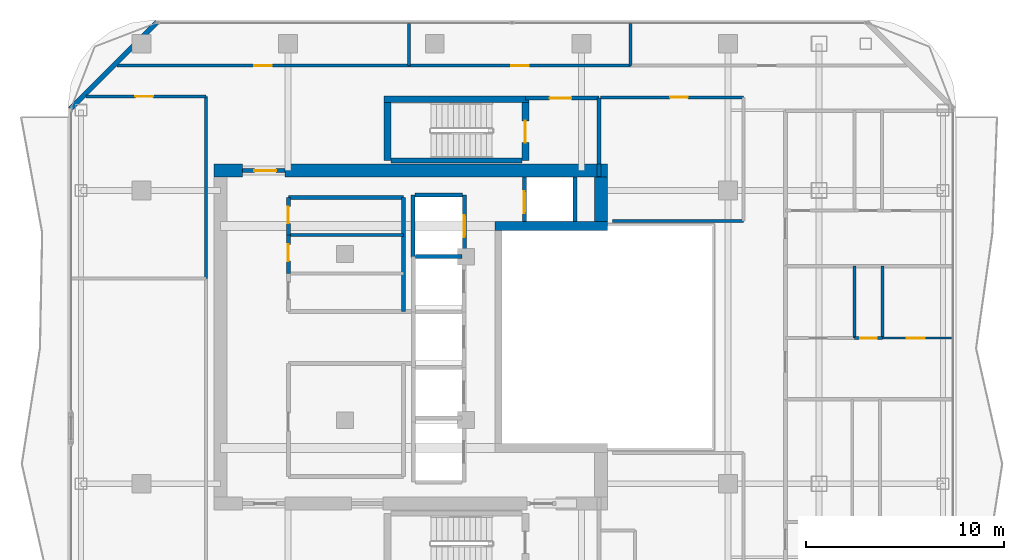
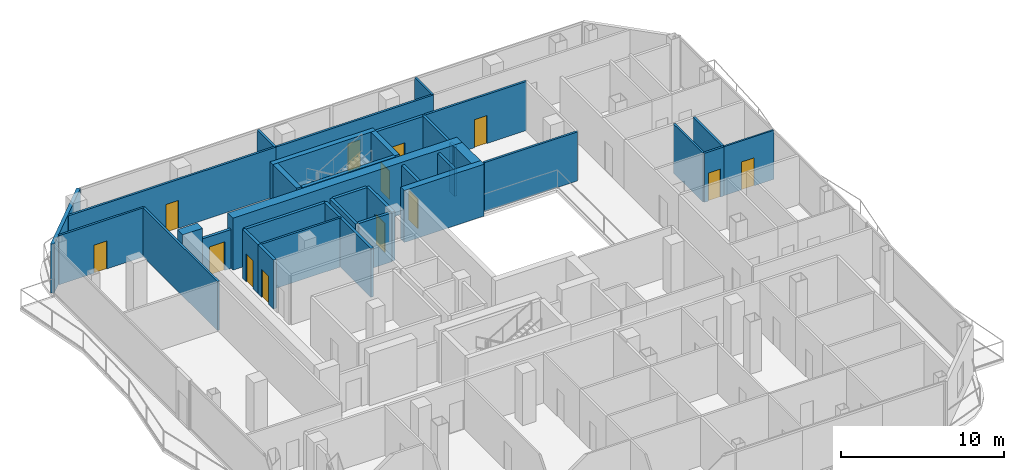
# One storey, part 23 of 27: 36 walls, 13 doors, 13 openings.
"""IFC4 building model written with IfcOpenShell, lengths in metres."""

from ifc_helpers import new_model, si_unit, direction, frame, frame_2d, origin, place, context, subcontext, project, spatial, rectangle, extrude, material, layer, layer_set, type_object, element, fill, save


model = new_model("IFC4")

# Units and contexts
model_context = context("Model", 3, precision=1e-05, world=origin(), true_north=direction((0.0, 1.0)))
body_context = subcontext(model_context, "Body", "Model", "MODEL_VIEW")
ifc_project = project(units=[si_unit("LENGTHUNIT", "METRE"), si_unit("AREAUNIT", "SQUARE_METRE"), si_unit("VOLUMEUNIT", "CUBIC_METRE"), si_unit("PLANEANGLEUNIT", "RADIAN"), si_unit("MASSUNIT", "GRAM", prefix="KILO")], contexts=[model_context])

# Site, building, storey
site_placement = place(None, origin())
site = spatial("IfcSite", under=ifc_project, at=site_placement, CompositionType="ELEMENT")
building_placement = place(site_placement, origin())
building = spatial("IfcBuilding", under=site, at=building_placement, Name="Khorvyn Point Tower", CompositionType="ELEMENT")
storey_placement = place(building_placement, frame((0.0, 0.0, 246.89990234375)))
storey = spatial("IfcBuildingStorey", under=building, at=storey_placement, Name="L60", CompositionType="ELEMENT", Elevation=246.89990234375)

# Walls
ifc_material_1 = material(Name="Pale anodised aluminium rainscreen on steel stud", Category="steel")
ifc_layer_1 = layer(ifc_material_1, 0.239990234375)
ifc_layer_set_1 = layer_set([ifc_layer_1], Name="Anodised Aluminium Insulated Corner Spandrel Wall 240")
wall_type_1 = type_object("IfcWallType", Name="Anodised Aluminium Insulated Corner Spandrel Wall 240", PredefinedType="SOLIDWALL", material=ifc_layer_set_1)
wall_1_placement = place(storey_placement, frame((-18.392333984375, 11.507568359375, 0.0), z_axis=(0.0, 0.0, 1.0), x_axis=(0.707106781187, 0.707106781187, 0.0)))
element("IfcWall", 1, at=wall_1_placement, inside=storey, type_object=wall_type_1, Name="L60 Rounded Corner Wall NW", PredefinedType="SOLIDWALL", context=body_context, shape_type="SweptSolid", body=[
    extrude(rectangle(XDim=6.200927734375, YDim=0.239990234375, at=frame_2d((3.1005859375, 0.0))), origin(), (0.0, 0.0, 1.0), 3.68017578125),
])
ifc_material_2 = material(Name="Concrete C40/50", Category="concrete")
ifc_layer_2 = layer(ifc_material_2, 0.449951171875)
ifc_layer_set_2 = layer_set([ifc_layer_2], Name="Concrete C40/50 Core Shear Wall 450")
wall_type_2 = type_object("IfcWallType", Name="Concrete C40/50 Core Shear Wall 450", PredefinedType="SHEAR", material=ifc_layer_set_2)
wall_2_placement = place(storey_placement, frame((3.044921875, 5.60009765625, 0.0), z_axis=(0.0, 0.0, 1.0), x_axis=(1.0, 0.0, 0.0)))
element("IfcWall", 2, at=wall_2_placement, inside=storey, type_object=wall_type_2, Name="Wall", PredefinedType="SHEAR", context=body_context, shape_type="SweptSolid", body=[
    extrude(rectangle(XDim=5.68017578125, YDim=0.449951171875, at=frame_2d((2.840087890625, 0.0))), origin(), (0.0, 0.0, 1.0), 3.900146484375),
])
ifc_layer_3 = layer(ifc_material_2, 0.64990234375)
ifc_layer_set_3 = layer_set([ifc_layer_3], Name="Concrete C40/50 Core Shear Wall 650")
wall_type_3 = type_object("IfcWallType", Name="Concrete C40/50 Core Shear Wall 650", PredefinedType="SHEAR", material=ifc_layer_set_3)
wall_3_placement = place(storey_placement, frame((-11.125, 8.39990234375, 0.0), z_axis=(0.0, 0.0, 1.0), x_axis=(1.0, 0.0, 0.0)))
element("IfcWall", 3, at=wall_3_placement, inside=storey, type_object=wall_type_3, Name="Wall", PredefinedType="SHEAR", context=body_context, shape_type="SweptSolid", body=[
    extrude(rectangle(XDim=1.425048828125, YDim=0.64990234375, at=frame_2d((0.71240234375, 0.0))), origin(), (0.0, 0.0, 1.0), 3.900146484375),
])
wall_4_placement = place(storey_placement, frame((-7.550048828125, 8.39990234375, 0.0), z_axis=(0.0, 0.0, 1.0), x_axis=(1.0, 0.0, 0.0)))
element("IfcWall", 4, at=wall_4_placement, inside=storey, type_object=wall_type_3, Name="Wall", PredefinedType="SHEAR", context=body_context, shape_type="SweptSolid", body=[
    extrude(rectangle(XDim=16.275146484375, YDim=0.64990234375, at=frame_2d((8.1376953125, 0.0))), origin(), (0.0, 0.0, 1.0), 3.900146484375),
])
wall_5_placement = place(storey_placement, frame((8.39990234375, 5.824951171875, 0.0), z_axis=(0.0, 0.0, 1.0), x_axis=(0.0, 1.0, 0.0)))
element("IfcWall", 5, at=wall_5_placement, inside=storey, type_object=wall_type_3, Name="Wall", PredefinedType="SHEAR", context=body_context, shape_type="SweptSolid", body=[
    extrude(rectangle(XDim=2.25, YDim=0.64990234375, at=frame_2d((1.125, 0.0))), origin(), (0.0, 0.0, 1.0), 3.900146484375),
])

# Wall, opening, door
ifc_layer_4 = layer(ifc_material_2, 0.199951171875)
ifc_layer_set_4 = layer_set([ifc_layer_4], Name="Concrete C40/50 Fire-Lobby Compartment Wall 200")
wall_type_4 = type_object("IfcWallType", Name="Concrete C40/50 Fire-Lobby Compartment Wall 200", PredefinedType="SOLIDWALL", material=ifc_layer_set_4)
wall_6_placement = place(storey_placement, frame((4.580078125, 12.06005859375, 0.0), z_axis=(0.0, 0.0, 1.0), x_axis=(1.0, 0.0, 0.0)))
wall_6 = element("IfcWall", 6, at=wall_6_placement, inside=storey, type_object=wall_type_4, Name="Wall", PredefinedType="SOLIDWALL", context=body_context, shape_type="SweptSolid", body=[
    extrude(rectangle(XDim=3.699951171875, YDim=0.199951171875, at=frame_2d((1.85009765625, 0.0))), origin(), (0.0, 0.0, 1.0), 3.68017578125),
])
opening_1_placement = place(wall_6_placement, frame((1.21240234375, 0.0, 0.0)))
opening_1 = element("IfcOpeningElement", 7, at=opening_1_placement, cuts=wall_6, Name="Opening ID-FL90", PredefinedType="OPENING", context=body_context, shape_type="SweptSolid", body=[
    extrude(rectangle(XDim=1.10009765625, YDim=2.14990234375, at=frame_2d((0.550048828125, 1.074951171875))), frame((0.0, 0.10986328125, 0.0), z_axis=(0.0, -1.0, 0.0), x_axis=(1.0, 0.0, 0.0)), (0.0, 0.0, 1.0), 0.219970703125),
])
ifc_material_3 = material(Name="Galvanised powder-coated steel", Category="steel")
door_type_1 = type_object("IfcDoorType", Name="Fire-Rated Steel Lobby and Stair Door 1100x2150", OperationType="NOTDEFINED", PredefinedType="DOOR", material=ifc_material_3)
door_1_placement = place(opening_1_placement, origin())
door_1 = element("IfcDoor", 8, at=door_1_placement, inside=storey, type_object=door_type_1, Name="Door", OperationType="SINGLE_SWING_LEFT", OverallHeight=2.14990234375, OverallWidth=1.10009765625, PredefinedType="DOOR", context=body_context, shape_type="SweptSolid", body=[
    extrude(rectangle(XDim=1.10009765625, YDim=2.14990234375, at=frame_2d((0.550048828125, 1.074951171875))), frame((0.0, 0.02490234375, 0.0), z_axis=(0.0, -1.0, 0.0), x_axis=(1.0, 0.0, 0.0)), (0.0, 0.0, 1.0), 0.050048828125),
])
fill(opening_1, door_1)

wall_7_placement = place(storey_placement, frame((-9.699951171875, 8.39990234375, 0.0), z_axis=(0.0, 0.0, 1.0), x_axis=(1.0, 0.0, 0.0)))
wall_7 = element("IfcWall", 9, at=wall_7_placement, inside=storey, type_object=wall_type_4, Name="Wall", PredefinedType="SOLIDWALL", context=body_context, shape_type="SweptSolid", body=[
    extrude(rectangle(XDim=2.14990234375, YDim=0.199951171875, at=frame_2d((1.074951171875, 0.0))), origin(), (0.0, 0.0, 1.0), 2.920166015625),
])
opening_2_placement = place(wall_7_placement, frame((0.597900390625, 0.0, 0.0)))
opening_2 = element("IfcOpeningElement", 10, at=opening_2_placement, cuts=wall_7, Name="Opening ID-FL90", PredefinedType="OPENING", context=body_context, shape_type="SweptSolid", body=[
    extrude(rectangle(XDim=1.10009765625, YDim=2.14990234375, at=frame_2d((0.550048828125, 1.074951171875))), frame((0.0, 0.10986328125, 0.0), z_axis=(0.0, -1.0, 0.0), x_axis=(1.0, 0.0, 0.0)), (0.0, 0.0, 1.0), 0.219970703125),
])
door_2_placement = place(opening_2_placement, origin())
door_2 = element("IfcDoor", 11, at=door_2_placement, inside=storey, type_object=door_type_1, Name="Door", OperationType="SINGLE_SWING_LEFT", OverallHeight=2.14990234375, OverallWidth=1.10009765625, PredefinedType="DOOR", context=body_context, shape_type="SweptSolid", body=[
    extrude(rectangle(XDim=1.10009765625, YDim=2.14990234375, at=frame_2d((0.550048828125, 1.074951171875))), frame((0.0, 0.02490234375, 0.0), z_axis=(0.0, -1.0, 0.0), x_axis=(1.0, 0.0, 0.0)), (0.0, 0.0, 1.0), 0.050048828125),
])
fill(opening_2, door_2)

wall_8_placement = place(storey_placement, frame((-7.3798828125, 3.219970703125, 0.0), z_axis=(0.0, 0.0, 1.0), x_axis=(0.0, 1.0, 0.0)))
wall_8 = element("IfcWall", 12, at=wall_8_placement, inside=storey, type_object=wall_type_4, Name="Wall", PredefinedType="SOLIDWALL", context=body_context, shape_type="SweptSolid", body=[
    extrude(rectangle(XDim=1.919921875, YDim=0.199951171875, at=frame_2d((0.9599609375, 0.0))), origin(), (0.0, 0.0, 1.0), 3.68017578125),
])
opening_3_placement = place(wall_8_placement, frame((0.610107421875, 0.0, 0.0)))
opening_3 = element("IfcOpeningElement", 13, at=opening_3_placement, cuts=wall_8, Name="Opening ID-WC85", PredefinedType="OPENING", context=body_context, shape_type="SweptSolid", body=[
    extrude(rectangle(XDim=0.85009765625, YDim=2.10009765625, at=frame_2d((0.425048828125, 1.050048828125))), frame((0.0, 0.10986328125, 0.0), z_axis=(0.0, -1.0, 0.0), x_axis=(1.0, 0.0, 0.0)), (0.0, 0.0, 1.0), 0.219970703125),
])
ifc_material_4 = material(Name="High-pressure laminate on moisture-resistant core", Category="wood")
door_type_2 = type_object("IfcDoorType", Name="Moisture-Resistant Accessible Washroom Door 850x2100", OperationType="NOTDEFINED", PredefinedType="DOOR", material=ifc_material_4)
door_3_placement = place(opening_3_placement, origin())
door_3 = element("IfcDoor", 14, at=door_3_placement, inside=storey, type_object=door_type_2, Name="Door", OperationType="SINGLE_SWING_RIGHT", OverallHeight=2.10009765625, OverallWidth=0.85009765625, PredefinedType="DOOR", context=body_context, shape_type="SweptSolid", body=[
    extrude(rectangle(XDim=0.85009765625, YDim=2.10009765625, at=frame_2d((0.425048828125, 1.050048828125))), frame((0.0, 0.02490234375, 0.0), z_axis=(0.0, -1.0, 0.0), x_axis=(1.0, 0.0, 0.0)), (0.0, 0.0, 1.0), 0.050048828125),
])
fill(opening_3, door_3)

wall_9_placement = place(storey_placement, frame((-7.3798828125, 5.139892578125, 0.0), z_axis=(0.0, 0.0, 1.0), x_axis=(0.0, 1.0, 0.0)))
wall_9 = element("IfcWall", 15, at=wall_9_placement, inside=storey, type_object=wall_type_4, Name="Wall", PredefinedType="SOLIDWALL", context=body_context, shape_type="SweptSolid", body=[
    extrude(rectangle(XDim=1.900146484375, YDim=0.199951171875, at=frame_2d((0.9501953125, 0.0))), origin(), (0.0, 0.0, 1.0), 3.68017578125),
])
opening_4_placement = place(wall_9_placement, frame((0.597900390625, 0.0, 0.0)))
opening_4 = element("IfcOpeningElement", 16, at=opening_4_placement, cuts=wall_9, Name="Opening ID-WC85", PredefinedType="OPENING", context=body_context, shape_type="SweptSolid", body=[
    extrude(rectangle(XDim=0.85009765625, YDim=2.10009765625, at=frame_2d((0.425048828125, 1.050048828125))), frame((0.0, 0.10986328125, 0.0), z_axis=(0.0, -1.0, 0.0), x_axis=(1.0, 0.0, 0.0)), (0.0, 0.0, 1.0), 0.219970703125),
])
door_4_placement = place(opening_4_placement, origin())
door_4 = element("IfcDoor", 17, at=door_4_placement, inside=storey, type_object=door_type_2, Name="Door", OperationType="SINGLE_SWING_LEFT", OverallHeight=2.10009765625, OverallWidth=0.85009765625, PredefinedType="DOOR", context=body_context, shape_type="SweptSolid", body=[
    extrude(rectangle(XDim=0.85009765625, YDim=2.10009765625, at=frame_2d((0.425048828125, 1.050048828125))), frame((0.0, 0.02490234375, 0.0), z_axis=(0.0, -1.0, 0.0), x_axis=(1.0, 0.0, 0.0)), (0.0, 0.0, 1.0), 0.050048828125),
])
fill(opening_4, door_4)

# Walls
wall_10_placement = place(storey_placement, frame((8.280029296875, 8.72509765625, 0.0), z_axis=(0.0, 0.0, 1.0), x_axis=(0.0, 1.0, 0.0)))
element("IfcWall", 18, at=wall_10_placement, inside=storey, type_object=wall_type_4, Name="Wall", PredefinedType="SOLIDWALL", context=body_context, shape_type="SweptSolid", body=[
    extrude(rectangle(XDim=3.3349609375, YDim=0.199951171875, at=frame_2d((1.66748046875, 0.0))), origin(), (0.0, 0.0, 1.0), 3.68017578125),
])
wall_11_placement = place(storey_placement, frame((-1.580078125, 1.300048828125, 0.0), z_axis=(0.0, 0.0, 1.0), x_axis=(0.0, 1.0, 0.0)))
element("IfcWall", 19, at=wall_11_placement, inside=storey, type_object=wall_type_4, Name="Wall", PredefinedType="SOLIDWALL", context=body_context, shape_type="SweptSolid", body=[
    extrude(rectangle(XDim=5.739990234375, YDim=0.199951171875, at=frame_2d((2.8701171875, 0.0))), origin(), (0.0, 0.0, 1.0), 3.68017578125),
])
wall_12_placement = place(storey_placement, frame((-7.3798828125, 7.0400390625, 0.0), z_axis=(0.0, 0.0, 1.0), x_axis=(1.0, 0.0, 0.0)))
element("IfcWall", 20, at=wall_12_placement, inside=storey, type_object=wall_type_4, Name="Wall", PredefinedType="SOLIDWALL", context=body_context, shape_type="SweptSolid", body=[
    extrude(rectangle(XDim=5.7998046875, YDim=0.199951171875, at=frame_2d((2.89990234375, 0.0))), origin(), (0.0, 0.0, 1.0), 3.68017578125),
])
wall_13_placement = place(storey_placement, frame((8.280029296875, 8.10009765625, 0.0), z_axis=(0.0, 0.0, 1.0), x_axis=(0.0, 1.0, 0.0)))
element("IfcWall", 21, at=wall_13_placement, inside=storey, type_object=wall_type_4, Name="Wall", PredefinedType="SOLIDWALL", context=body_context, shape_type="SweptSolid", body=[
    extrude(rectangle(XDim=0.625, YDim=0.199951171875, at=frame_2d((0.3125, 0.0))), origin(), (0.0, 0.0, 1.0), 3.68017578125),
])
ifc_layer_5 = layer(ifc_material_2, 0.25)
ifc_layer_set_5 = layer_set([ifc_layer_5], Name="Concrete C40/50 Stair Inner Cheek Structural Wall 250")
wall_type_5 = type_object("IfcWallType", Name="Concrete C40/50 Stair Inner Cheek Structural Wall 250", PredefinedType="SHEAR", material=ifc_layer_set_5)
wall_14_placement = place(storey_placement, frame((-2.199951171875, 8.89990234375, 0.0), z_axis=(0.0, 0.0, 1.0), x_axis=(1.0, 0.0, 0.0)))
element("IfcWall", 22, at=wall_14_placement, inside=storey, type_object=wall_type_5, Name="Wall", PredefinedType="SHEAR", context=body_context, shape_type="SweptSolid", body=[
    extrude(rectangle(XDim=6.599853515625, YDim=0.25, at=frame_2d((3.2998046875, 0.0))), origin(), (0.0, 0.0, 1.0), 3.900146484375),
])
ifc_layer_6 = layer(ifc_material_2, 0.35009765625)
ifc_layer_set_6 = layer_set([ifc_layer_6], Name="Concrete C40/50 Stair Shaft Structural Wall 350")
wall_type_6 = type_object("IfcWallType", Name="Concrete C40/50 Stair Shaft Structural Wall 350", PredefinedType="SHEAR", material=ifc_layer_set_6)
wall_15_placement = place(storey_placement, frame((-2.554931640625, 12.0, 0.0), z_axis=(0.0, 0.0, 1.0), x_axis=(1.0, 0.0, 0.0)))
element("IfcWall", 23, at=wall_15_placement, inside=storey, type_object=wall_type_6, Name="L60 ST-02 North Shaft Wall", PredefinedType="SHEAR", context=body_context, shape_type="SweptSolid", body=[
    extrude(rectangle(XDim=7.309814453125, YDim=0.35009765625, at=frame_2d((3.65478515625, 0.0))), origin(), (0.0, 0.0, 1.0), 3.900146484375),
])
wall_16_placement = place(storey_placement, frame((-2.3798828125, 8.89990234375, 0.0), z_axis=(0.0, 0.0, 1.0), x_axis=(0.0, 1.0, 0.0)))
element("IfcWall", 24, at=wall_16_placement, inside=storey, type_object=wall_type_6, Name="L60 ST-02 West Shaft Wall", PredefinedType="SHEAR", context=body_context, shape_type="SweptSolid", body=[
    extrude(rectangle(XDim=2.925048828125, YDim=0.35009765625, at=frame_2d((1.46240234375, 0.0))), origin(), (0.0, 0.0, 1.0), 3.900146484375),
])

# Wall, opening, door
wall_17_placement = place(storey_placement, frame((4.580078125, 11.824951171875, 0.0), z_axis=(0.0, 0.0, 1.0), x_axis=(0.0, -1.0, 0.0)))
wall_17 = element("IfcWall", 25, at=wall_17_placement, inside=storey, type_object=wall_type_6, Name="L60 ST-02 East Landing Door Wall", PredefinedType="SHEAR", context=body_context, shape_type="SweptSolid", body=[
    extrude(rectangle(XDim=2.925048828125, YDim=0.35009765625, at=frame_2d((1.46240234375, 0.0))), origin(), (0.0, 0.0, 1.0), 3.900146484375),
])
opening_5_placement = place(wall_17_placement, frame((0.91259765625, 0.0, 0.0)))
opening_5 = element("IfcOpeningElement", 26, at=opening_5_placement, cuts=wall_17, Name="Opening ID-FL90", PredefinedType="OPENING", context=body_context, shape_type="SweptSolid", body=[
    extrude(rectangle(XDim=1.10009765625, YDim=2.14990234375, at=frame_2d((0.550048828125, 1.074951171875))), frame((0.0, 0.18505859375, 0.0), z_axis=(0.0, -1.0, 0.0), x_axis=(1.0, 0.0, 0.0)), (0.0, 0.0, 1.0), 0.3701171875),
])
door_5_placement = place(opening_5_placement, origin())
door_5 = element("IfcDoor", 27, at=door_5_placement, inside=storey, type_object=door_type_1, Name="L60 ST-02 Smokeproof Landing Door", OperationType="SINGLE_SWING_LEFT", OverallHeight=2.14990234375, OverallWidth=1.10009765625, PredefinedType="DOOR", context=body_context, shape_type="SweptSolid", body=[
    extrude(rectangle(XDim=1.10009765625, YDim=2.14990234375, at=frame_2d((0.550048828125, 1.074951171875))), frame((0.0, 0.02490234375, 0.0), z_axis=(0.0, -1.0, 0.0), x_axis=(1.0, 0.0, 0.0)), (0.0, 0.0, 1.0), 0.050048828125),
])
fill(opening_5, door_5)

# Walls
ifc_layer_7 = layer(ifc_material_2, 0.199951171875)
ifc_layer_set_7 = layer_set([ifc_layer_7], Name="Concrete C40/50 Structural Hoistway and Stair Shaft Wall 200")
wall_type_7 = type_object("IfcWallType", Name="Concrete C40/50 Structural Hoistway and Stair Shaft Wall 200", PredefinedType="SHEAR", material=ifc_layer_set_7)
wall_18_placement = place(storey_placement, frame((-0.97509765625, 4.074951171875, 0.0), z_axis=(0.0, 0.0, 1.0), x_axis=(1.0, 0.0, 0.0)))
element("IfcWall", 28, at=wall_18_placement, inside=storey, type_object=wall_type_7, Name="Wall", PredefinedType="SHEAR", context=body_context, shape_type="SweptSolid", body=[
    extrude(rectangle(XDim=2.35009765625, YDim=0.199951171875, at=frame_2d((1.175048828125, 0.0))), origin(), (0.0, 0.0, 1.0), 3.68017578125),
])
wall_19_placement = place(storey_placement, frame((-1.10009765625, 4.02490234375, 0.0), z_axis=(0.0, 0.0, 1.0), x_axis=(0.0, 1.0, 0.0)))
element("IfcWall", 29, at=wall_19_placement, inside=storey, type_object=wall_type_7, Name="Wall", PredefinedType="SHEAR", context=body_context, shape_type="SweptSolid", body=[
    extrude(rectangle(XDim=3.150146484375, YDim=0.199951171875, at=frame_2d((1.5751953125, 0.0))), origin(), (0.0, 0.0, 1.0), 3.68017578125),
])

# Wall, opening, door
wall_20_placement = place(storey_placement, frame((1.5, 4.02490234375, 0.0), z_axis=(0.0, 0.0, 1.0), x_axis=(0.0, 1.0, 0.0)))
wall_20 = element("IfcWall", 30, at=wall_20_placement, inside=storey, type_object=wall_type_7, Name="Wall", PredefinedType="SHEAR", context=body_context, shape_type="SweptSolid", body=[
    extrude(rectangle(XDim=3.150146484375, YDim=0.199951171875, at=frame_2d((1.5751953125, 0.0))), origin(), (0.0, 0.0, 1.0), 3.68017578125),
])
opening_6_placement = place(wall_20_placement, frame((1.02490234375, 0.0, 0.0)))
opening_6 = element("IfcOpeningElement", 31, at=opening_6_placement, cuts=wall_20, Name="Opening LD-1122", PredefinedType="OPENING", context=body_context, shape_type="SweptSolid", body=[
    extrude(rectangle(XDim=1.10009765625, YDim=2.199951171875, at=frame_2d((0.550048828125, 1.10009765625))), frame((0.0, 0.10986328125, 0.0), z_axis=(0.0, -1.0, 0.0), x_axis=(1.0, 0.0, 0.0)), (0.0, 0.0, 1.0), 0.219970703125),
])
ifc_material_5 = material(Name="Stainless steel 1.4301", Category="steel")
door_type_3 = type_object("IfcDoorType", Name="Stainless Steel Automatic Sliding Lift Landing Door 1100x2200", OperationType="SLIDING_TO_LEFT", PredefinedType="DOOR", material=ifc_material_5)
door_6_placement = place(opening_6_placement, origin())
door_6 = element("IfcDoor", 32, at=door_6_placement, inside=storey, type_object=door_type_3, Name="L60 SV-01 Sliding Lift Landing Door", OperationType="SLIDING_TO_LEFT", OverallHeight=2.199951171875, OverallWidth=1.10009765625, PredefinedType="DOOR", context=body_context, shape_type="SweptSolid", body=[
    extrude(rectangle(XDim=1.10009765625, YDim=2.199951171875, at=frame_2d((0.550048828125, 1.10009765625))), frame((0.0, 0.02490234375, 0.0), z_axis=(0.0, -1.0, 0.0), x_axis=(1.0, 0.0, 0.0)), (0.0, 0.0, 1.0), 0.050048828125),
])
fill(opening_6, door_6)

# Wall
wall_21_placement = place(storey_placement, frame((-1.0, 7.175048828125, 0.0), z_axis=(0.0, 0.0, 1.0), x_axis=(1.0, 0.0, 0.0)))
element("IfcWall", 33, at=wall_21_placement, inside=storey, type_object=wall_type_7, Name="Wall", PredefinedType="SHEAR", context=body_context, shape_type="SweptSolid", body=[
    extrude(rectangle(XDim=2.39990234375, YDim=0.199951171875, at=frame_2d((1.199951171875, 0.0))), origin(), (0.0, 0.0, 1.0), 3.68017578125),
])

# Wall, opening, door
wall_22_placement = place(storey_placement, frame((4.52490234375, 5.824951171875, 0.0), z_axis=(0.0, 0.0, 1.0), x_axis=(0.0, 1.0, 0.0)))
wall_22 = element("IfcWall", 34, at=wall_22_placement, inside=storey, type_object=wall_type_7, Name="Wall", PredefinedType="SHEAR", context=body_context, shape_type="SweptSolid", body=[
    extrude(rectangle(XDim=2.25, YDim=0.199951171875, at=frame_2d((1.125, 0.0))), origin(), (0.0, 0.0, 1.0), 3.68017578125),
])
opening_7_placement = place(wall_22_placement, frame((0.425048828125, 0.0, 0.0)))
opening_7 = element("IfcOpeningElement", 35, at=opening_7_placement, cuts=wall_22, Name="Opening LD-1122", PredefinedType="OPENING", context=body_context, shape_type="SweptSolid", body=[
    extrude(rectangle(XDim=1.10009765625, YDim=2.199951171875, at=frame_2d((0.550048828125, 1.10009765625))), frame((0.0, 0.10986328125, 0.0), z_axis=(0.0, -1.0, 0.0), x_axis=(1.0, 0.0, 0.0)), (0.0, 0.0, 1.0), 0.219970703125),
])
door_7_placement = place(opening_7_placement, origin())
door_7 = element("IfcDoor", 36, at=door_7_placement, inside=storey, type_object=door_type_3, Name="L60 FF-02 Sliding Lift Landing Door", OperationType="SLIDING_TO_LEFT", OverallHeight=2.199951171875, OverallWidth=1.10009765625, PredefinedType="DOOR", context=body_context, shape_type="SweptSolid", body=[
    extrude(rectangle(XDim=1.10009765625, YDim=2.199951171875, at=frame_2d((0.550048828125, 1.10009765625))), frame((0.0, 0.02490234375, 0.0), z_axis=(0.0, -1.0, 0.0), x_axis=(1.0, 0.0, 0.0)), (0.0, 0.0, 1.0), 0.050048828125),
])
fill(opening_7, door_7)

# Wall
wall_23_placement = place(storey_placement, frame((7.074951171875, 5.824951171875, 0.0), z_axis=(0.0, 0.0, 1.0), x_axis=(0.0, 1.0, 0.0)))
element("IfcWall", 37, at=wall_23_placement, inside=storey, type_object=wall_type_7, Name="Wall", PredefinedType="SHEAR", context=body_context, shape_type="SweptSolid", body=[
    extrude(rectangle(XDim=2.25, YDim=0.199951171875, at=frame_2d((1.125, 0.0))), origin(), (0.0, 0.0, 1.0), 3.68017578125),
])

# Wall, opening, door
ifc_material_6 = material(Name="Gypsum plasterboard on steel stud", Category="steel")
ifc_layer_8 = layer(ifc_material_6, 0.1201171875)
ifc_layer_set_8 = layer_set([ifc_layer_8], Name="Gypsum Acoustic Stud Room Partition Wall 120")
wall_type_8 = type_object("IfcWallType", Name="Gypsum Acoustic Stud Room Partition Wall 120", PredefinedType="PARTITIONING", material=ifc_layer_set_8)
wall_24_placement = place(storey_placement, frame((22.5869140625, -0.049072265625, 0.0), z_axis=(0.0, 0.0, 1.0), x_axis=(1.0, 0.0, 0.0)))
wall_24 = element("IfcWall", 38, at=wall_24_placement, inside=storey, type_object=wall_type_8, Name="Wall", PredefinedType="PARTITIONING", context=body_context, shape_type="SweptSolid", body=[
    extrude(rectangle(XDim=3.54296875, YDim=0.1201171875, at=frame_2d((1.771484375, 0.0))), origin(), (0.0, 0.0, 1.0), 3.68017578125),
])
opening_8_placement = place(wall_24_placement, frame((1.232177734375, 0.0, 0.0)))
opening_8 = element("IfcOpeningElement", 39, at=opening_8_placement, cuts=wall_24, Name="Opening ID-RM90", PredefinedType="OPENING", context=body_context, shape_type="SweptSolid", body=[
    extrude(rectangle(XDim=0.89990234375, YDim=2.10009765625, at=frame_2d((0.449951171875, 1.050048828125))), frame((0.0, 0.070068359375, 0.0), z_axis=(0.0, -1.0, 0.0), x_axis=(1.0, 0.0, 0.0)), (0.0, 0.0, 1.0), 0.14013671875),
])
ifc_material_7 = material(Name="Engineered oak veneer timber", Category="wood")
door_type_4 = type_object("IfcDoorType", Name="Flush Engineered Timber Room Door 900x2100", OperationType="NOTDEFINED", PredefinedType="DOOR", material=ifc_material_7)
door_8_placement = place(opening_8_placement, origin())
door_8 = element("IfcDoor", 40, at=door_8_placement, inside=storey, type_object=door_type_4, Name="Door", OperationType="SINGLE_SWING_LEFT", OverallHeight=2.10009765625, OverallWidth=0.89990234375, PredefinedType="DOOR", context=body_context, shape_type="SweptSolid", body=[
    extrude(rectangle(XDim=0.89990234375, YDim=2.10009765625, at=frame_2d((0.449951171875, 1.050048828125))), frame((0.0, 0.02490234375, 0.0), z_axis=(0.0, -1.0, 0.0), x_axis=(1.0, 0.0, 0.0)), (0.0, 0.0, 1.0), 0.050048828125),
])
fill(opening_8, door_8)

ifc_material_8 = material(Name="Moisture-resistant gypsum and cement board", Category="gypsum")
ifc_layer_9 = layer(ifc_material_8, 0.14990234375)
ifc_layer_set_9 = layer_set([ifc_layer_9], Name="Moisture-Resistant Wet-Room Partition Wall 150")
wall_type_9 = type_object("IfcWallType", Name="Moisture-Resistant Wet-Room Partition Wall 150", PredefinedType="PARTITIONING", material=ifc_layer_set_9)
wall_25_placement = place(storey_placement, frame((8.360107421875, 12.10009765625, 0.0), z_axis=(0.0, 0.0, 1.0), x_axis=(1.0, 0.0, 0.0)))
wall_25 = element("IfcWall", 41, at=wall_25_placement, inside=storey, type_object=wall_type_9, Name="Wall", PredefinedType="PARTITIONING", context=body_context, shape_type="SweptSolid", body=[
    extrude(rectangle(XDim=7.219970703125, YDim=0.14990234375, at=frame_2d((3.60986328125, 0.0))), origin(), (0.0, 0.0, 1.0), 3.68017578125),
])
opening_9_placement = place(wall_25_placement, frame((3.512939453125, 0.0, 0.0)))
opening_9 = element("IfcOpeningElement", 42, at=opening_9_placement, cuts=wall_25, Name="Opening ID-RM90", PredefinedType="OPENING", context=body_context, shape_type="SweptSolid", body=[
    extrude(rectangle(XDim=0.89990234375, YDim=2.10009765625, at=frame_2d((0.449951171875, 1.050048828125))), frame((0.0, 0.0849609375, 0.0), z_axis=(0.0, -1.0, 0.0), x_axis=(1.0, 0.0, 0.0)), (0.0, 0.0, 1.0), 0.169921875),
])
door_9_placement = place(opening_9_placement, origin())
door_9 = element("IfcDoor", 43, at=door_9_placement, inside=storey, type_object=door_type_4, Name="Door", OperationType="SINGLE_SWING_RIGHT", OverallHeight=2.10009765625, OverallWidth=0.89990234375, PredefinedType="DOOR", context=body_context, shape_type="SweptSolid", body=[
    extrude(rectangle(XDim=0.89990234375, YDim=2.10009765625, at=frame_2d((0.449951171875, 1.050048828125))), frame((0.0, 0.02490234375, 0.0), z_axis=(0.0, -1.0, 0.0), x_axis=(1.0, 0.0, 0.0)), (0.0, 0.0, 1.0), 0.050048828125),
])
fill(opening_9, door_9)

wall_26_placement = place(storey_placement, frame((-16.030029296875, 13.699951171875, 0.0), z_axis=(0.0, 0.0, 1.0), x_axis=(1.0, 0.0, 0.0)))
wall_26 = element("IfcWall", 44, at=wall_26_placement, inside=storey, type_object=wall_type_9, Name="Wall", PredefinedType="PARTITIONING", context=body_context, shape_type="SweptSolid", body=[
    extrude(rectangle(XDim=14.738037109375, YDim=0.14990234375, at=frame_2d((7.369140625, 0.0))), origin(), (0.0, 0.0, 1.0), 3.68017578125),
])
opening_10_placement = place(wall_26_placement, frame((6.9189453125, 0.0, 0.0)))
opening_10 = element("IfcOpeningElement", 45, at=opening_10_placement, cuts=wall_26, Name="Opening ID-RM90", PredefinedType="OPENING", context=body_context, shape_type="SweptSolid", body=[
    extrude(rectangle(XDim=0.89990234375, YDim=2.10009765625, at=frame_2d((0.449951171875, 1.050048828125))), frame((0.0, 0.0849609375, 0.0), z_axis=(0.0, -1.0, 0.0), x_axis=(1.0, 0.0, 0.0)), (0.0, 0.0, 1.0), 0.169921875),
])
door_10_placement = place(opening_10_placement, origin())
door_10 = element("IfcDoor", 46, at=door_10_placement, inside=storey, type_object=door_type_4, Name="Door", OperationType="SINGLE_SWING_LEFT", OverallHeight=2.10009765625, OverallWidth=0.89990234375, PredefinedType="DOOR", context=body_context, shape_type="SweptSolid", body=[
    extrude(rectangle(XDim=0.89990234375, YDim=2.10009765625, at=frame_2d((0.449951171875, 1.050048828125))), frame((0.0, 0.02490234375, 0.0), z_axis=(0.0, -1.0, 0.0), x_axis=(1.0, 0.0, 0.0)), (0.0, 0.0, 1.0), 0.050048828125),
])
fill(opening_10, door_10)

wall_27_placement = place(storey_placement, frame((-1.2919921875, 13.699951171875, 0.0), z_axis=(0.0, 0.0, 1.0), x_axis=(1.0, 0.0, 0.0)))
wall_27 = element("IfcWall", 47, at=wall_27_placement, inside=storey, type_object=wall_type_9, Name="Wall", PredefinedType="PARTITIONING", context=body_context, shape_type="SweptSolid", body=[
    extrude(rectangle(XDim=11.18310546875, YDim=0.14990234375, at=frame_2d((5.591552734375, 0.0))), origin(), (0.0, 0.0, 1.0), 3.68017578125),
])
opening_11_placement = place(wall_27_placement, frame((5.1416015625, 0.0, 0.0)))
opening_11 = element("IfcOpeningElement", 48, at=opening_11_placement, cuts=wall_27, Name="Opening ID-RM90", PredefinedType="OPENING", context=body_context, shape_type="SweptSolid", body=[
    extrude(rectangle(XDim=0.89990234375, YDim=2.10009765625, at=frame_2d((0.449951171875, 1.050048828125))), frame((0.0, 0.0849609375, 0.0), z_axis=(0.0, -1.0, 0.0), x_axis=(1.0, 0.0, 0.0)), (0.0, 0.0, 1.0), 0.169921875),
])
door_11_placement = place(opening_11_placement, origin())
door_11 = element("IfcDoor", 49, at=door_11_placement, inside=storey, type_object=door_type_4, Name="Door", OperationType="SINGLE_SWING_RIGHT", OverallHeight=2.10009765625, OverallWidth=0.89990234375, PredefinedType="DOOR", context=body_context, shape_type="SweptSolid", body=[
    extrude(rectangle(XDim=0.89990234375, YDim=2.10009765625, at=frame_2d((0.449951171875, 1.050048828125))), frame((0.0, 0.02490234375, 0.0), z_axis=(0.0, -1.0, 0.0), x_axis=(1.0, 0.0, 0.0)), (0.0, 0.0, 1.0), 0.050048828125),
])
fill(opening_11, door_11)

wall_28_placement = place(storey_placement, frame((-17.590087890625, 12.139892578125, 0.0), z_axis=(0.0, 0.0, 1.0), x_axis=(1.0, 0.0, 0.0)))
wall_28 = element("IfcWall", 50, at=wall_28_placement, inside=storey, type_object=wall_type_9, Name="Wall", PredefinedType="PARTITIONING", context=body_context, shape_type="SweptSolid", body=[
    extrude(rectangle(XDim=6.0400390625, YDim=0.14990234375, at=frame_2d((3.02001953125, 0.0))), origin(), (0.0, 0.0, 1.0), 3.68017578125),
])
opening_12_placement = place(wall_28_placement, frame((2.480712890625, 0.0, 0.0)))
opening_12 = element("IfcOpeningElement", 51, at=opening_12_placement, cuts=wall_28, Name="Opening ID-RM90", PredefinedType="OPENING", context=body_context, shape_type="SweptSolid", body=[
    extrude(rectangle(XDim=0.89990234375, YDim=2.10009765625, at=frame_2d((0.449951171875, 1.050048828125))), frame((0.0, 0.0849609375, 0.0), z_axis=(0.0, -1.0, 0.0), x_axis=(1.0, 0.0, 0.0)), (0.0, 0.0, 1.0), 0.169921875),
])
door_12_placement = place(opening_12_placement, origin())
door_12 = element("IfcDoor", 52, at=door_12_placement, inside=storey, type_object=door_type_4, Name="Door", OperationType="SINGLE_SWING_LEFT", OverallHeight=2.10009765625, OverallWidth=0.89990234375, PredefinedType="DOOR", context=body_context, shape_type="SweptSolid", body=[
    extrude(rectangle(XDim=0.89990234375, YDim=2.10009765625, at=frame_2d((0.449951171875, 1.050048828125))), frame((0.0, 0.02490234375, 0.0), z_axis=(0.0, -1.0, 0.0), x_axis=(1.0, 0.0, 0.0)), (0.0, 0.0, 1.0), 0.050048828125),
])
fill(opening_12, door_12)

wall_29_placement = place(storey_placement, frame((21.18701171875, -0.049072265625, 0.0), z_axis=(0.0, 0.0, 1.0), x_axis=(1.0, 0.0, 0.0)))
wall_29 = element("IfcWall", 53, at=wall_29_placement, inside=storey, type_object=wall_type_9, Name="Wall", PredefinedType="PARTITIONING", context=body_context, shape_type="SweptSolid", body=[
    extrude(rectangle(XDim=1.39990234375, YDim=0.14990234375, at=frame_2d((0.699951171875, 0.0))), origin(), (0.0, 0.0, 1.0), 3.68017578125),
])
opening_13_placement = place(wall_29_placement, frame((0.27490234375, 0.0, 0.0)))
opening_13 = element("IfcOpeningElement", 54, at=opening_13_placement, cuts=wall_29, Name="Opening ID-WC85", PredefinedType="OPENING", context=body_context, shape_type="SweptSolid", body=[
    extrude(rectangle(XDim=0.85009765625, YDim=2.10009765625, at=frame_2d((0.425048828125, 1.050048828125))), frame((0.0, 0.0849609375, 0.0), z_axis=(0.0, -1.0, 0.0), x_axis=(1.0, 0.0, 0.0)), (0.0, 0.0, 1.0), 0.169921875),
])
door_13_placement = place(opening_13_placement, origin())
door_13 = element("IfcDoor", 55, at=door_13_placement, inside=storey, type_object=door_type_2, Name="Door", OperationType="SINGLE_SWING_RIGHT", OverallHeight=2.10009765625, OverallWidth=0.85009765625, PredefinedType="DOOR", context=body_context, shape_type="SweptSolid", body=[
    extrude(rectangle(XDim=0.85009765625, YDim=2.10009765625, at=frame_2d((0.425048828125, 1.050048828125))), frame((0.0, 0.02490234375, 0.0), z_axis=(0.0, -1.0, 0.0), x_axis=(1.0, 0.0, 0.0)), (0.0, 0.0, 1.0), 0.050048828125),
])
fill(opening_13, door_13)

# Walls
wall_30_placement = place(storey_placement, frame((-7.3798828125, 5.139892578125, 0.0), z_axis=(0.0, 0.0, 1.0), x_axis=(1.0, 0.0, 0.0)))
element("IfcWall", 56, at=wall_30_placement, inside=storey, type_object=wall_type_9, Name="Wall", PredefinedType="PARTITIONING", context=body_context, shape_type="SweptSolid", body=[
    extrude(rectangle(XDim=5.7998046875, YDim=0.14990234375, at=frame_2d((2.89990234375, 0.0))), origin(), (0.0, 0.0, 1.0), 3.68017578125),
])
wall_31_placement = place(storey_placement, frame((8.9599609375, 5.85009765625, 0.0), z_axis=(0.0, 0.0, 1.0), x_axis=(1.0, 0.0, 0.0)))
element("IfcWall", 57, at=wall_31_placement, inside=storey, type_object=wall_type_9, Name="Wall", PredefinedType="PARTITIONING", context=body_context, shape_type="SweptSolid", body=[
    extrude(rectangle(XDim=6.6201171875, YDim=0.14990234375, at=frame_2d((3.31005859375, 0.0))), origin(), (0.0, 0.0, 1.0), 3.68017578125),
])
for number, where, z_axis, x_axis, name in (
    (58, (-1.2919921875, 13.699951171875, 0.0), (0.0, 0.0, 1.0), (0.0, 1.0, 0.0), "Wall"),
    (59, (9.89111328125, 13.699951171875, 0.0), (0.0, 0.0, 1.0), (0.0, 1.0, 0.0), "Wall"),
):
    element("IfcWall", number, at=place(storey_placement, frame(where, z_axis=z_axis, x_axis=x_axis)), inside=storey, type_object=wall_type_9, Name=name, PredefinedType="PARTITIONING", context=body_context, shape_type="SweptSolid", body=[
        extrude(rectangle(XDim=2.130126953125, YDim=0.14990234375, at=frame_2d((1.06494140625, 0.0))), origin(), (0.0, 0.0, 1.0), 3.68017578125),
    ])
wall_32_placement = place(storey_placement, frame((-11.550048828125, 2.949951171875, 0.0), z_axis=(0.0, 0.0, 1.0), x_axis=(0.0, 1.0, 0.0)))
element("IfcWall", 60, at=wall_32_placement, inside=storey, type_object=wall_type_9, Name="Wall", PredefinedType="PARTITIONING", context=body_context, shape_type="SweptSolid", body=[
    extrude(rectangle(XDim=9.18994140625, YDim=0.14990234375, at=frame_2d((4.594970703125, 0.0))), origin(), (0.0, 0.0, 1.0), 3.68017578125),
])
for number, where, z_axis, x_axis, name in (
    (61, (21.18701171875, -0.049072265625, 0.0), (0.0, 0.0, 1.0), (0.0, 1.0, 0.0), "Wall"),
    (62, (22.5869140625, -0.049072265625, 0.0), (0.0, 0.0, 1.0), (0.0, 1.0, 0.0), "Wall"),
):
    element("IfcWall", number, at=place(storey_placement, frame(where, z_axis=z_axis, x_axis=x_axis)), inside=storey, type_object=wall_type_9, Name=name, PredefinedType="PARTITIONING", context=body_context, shape_type="SweptSolid", body=[
        extrude(rectangle(XDim=3.629150390625, YDim=0.14990234375, at=frame_2d((1.814453125, 0.0))), origin(), (0.0, 0.0, 1.0), 3.68017578125),
    ])

save(model, "model.ifc")
